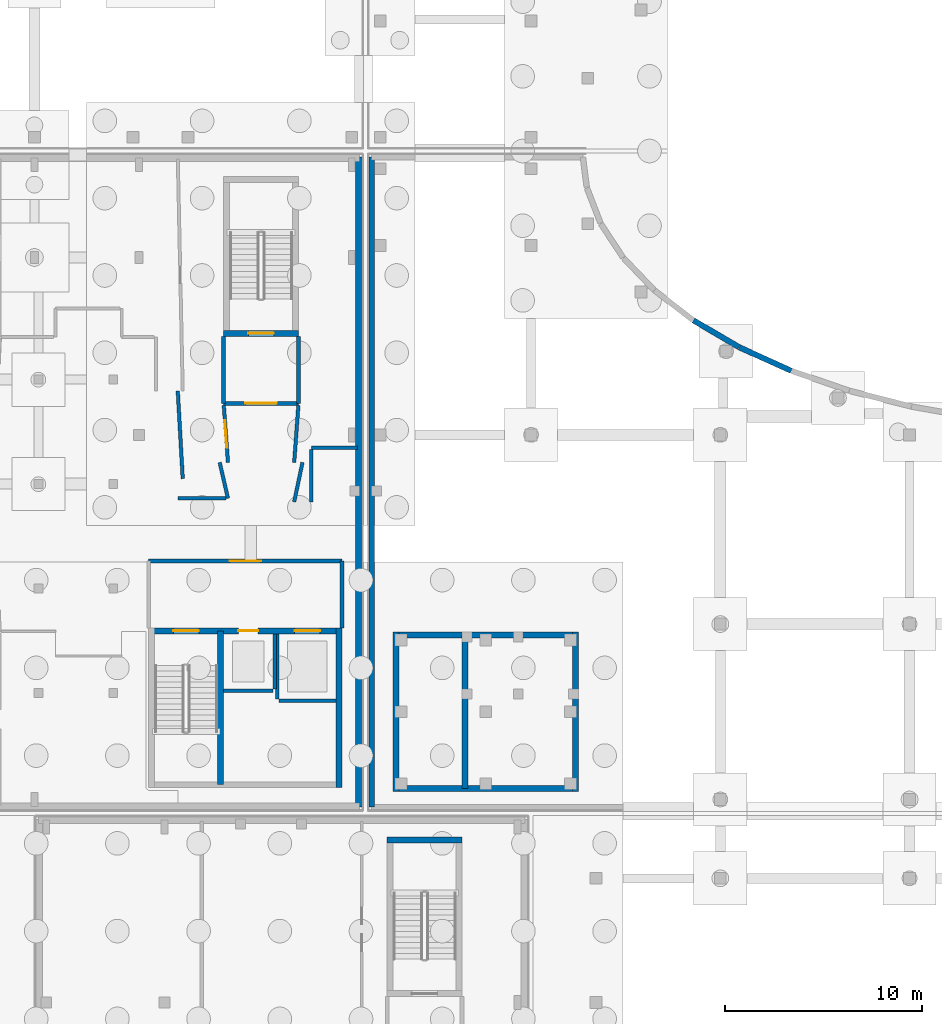
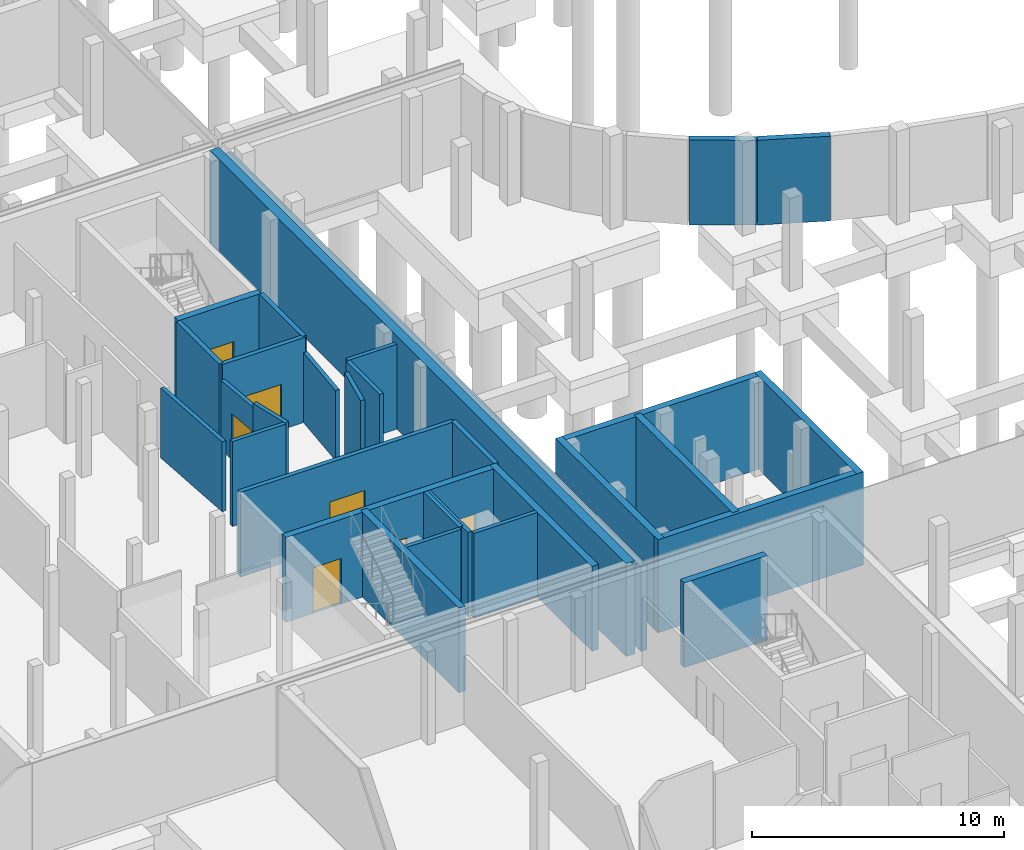
# One storey, part 21 of 40: 31 walls, 7 doors, 7 openings.
"""IFC4 building model written with IfcOpenShell, lengths in metres."""

from ifc_helpers import new_model, si_unit, direction, frame, frame_2d, origin, place, context, subcontext, project, spatial, rectangle, extrude, material, layer, layer_set, type_object, element, fill, save


model = new_model("IFC4")

# Units and contexts
model_context = context("Model", 3, precision=1e-05, world=origin(), true_north=direction((0.0, 1.0)))
body_context = subcontext(model_context, "Body", "Model", "MODEL_VIEW")
ifc_project = project(units=[si_unit("LENGTHUNIT", "METRE"), si_unit("AREAUNIT", "SQUARE_METRE"), si_unit("VOLUMEUNIT", "CUBIC_METRE"), si_unit("PLANEANGLEUNIT", "RADIAN"), si_unit("MASSUNIT", "GRAM", prefix="KILO")], contexts=[model_context])

# Site, building, storey
site_placement = place(None, origin())
site = spatial("IfcSite", under=ifc_project, at=site_placement, CompositionType="ELEMENT")
building_placement = place(site_placement, origin())
building = spatial("IfcBuilding", under=site, at=building_placement, Name="Mzevani Central Library", CompositionType="ELEMENT")
storey_placement = place(building_placement, frame((0.0, 0.0, -4.5)))
storey = spatial("IfcBuildingStorey", under=building, at=storey_placement, Name="B1", CompositionType="ELEMENT", Elevation=-4.5)

# Wall
ifc_material_1 = material(Name="Concrete C35/45", Category="concrete")
ifc_layer_1 = layer(ifc_material_1, 0.419921875, Name="Basement Retaining Wall 420")
ifc_layer_set_1 = layer_set([ifc_layer_1], Name="Concrete C35/45")
wall_type_1 = type_object("IfcWallType", Name="Basement Retaining Wall 420", PredefinedType="SOLIDWALL", material=ifc_layer_set_1)
wall_1_placement = place(storey_placement, frame((45.68994140625, 75.68994140625, 0.0), z_axis=(0.0, 0.0, 1.0), x_axis=(0.0, -1.0, 0.0)))
element("IfcWall", 1, at=wall_1_placement, inside=storey, type_object=wall_type_1, Name="B1 V5 Perimeter Retaining Wall (67)", PredefinedType="SOLIDWALL", context=body_context, shape_type="SweptSolid", body=[
    extrude(rectangle(XDim=32.97998046875, YDim=0.419921875, at=frame_2d((16.489990234375, 0.0))), origin(), (0.0, 0.0, 1.0), 4.5),
])

# Wall, opening, door
ifc_layer_2 = layer(ifc_material_1, 0.199951171875, Name="Compartment Wall 200")
ifc_layer_set_2 = layer_set([ifc_layer_2], Name="Concrete C35/45")
wall_type_2 = type_object("IfcWallType", Name="Compartment Wall 200", PredefinedType="STANDARD", material=ifc_layer_set_2)
wall_2_placement = place(storey_placement, frame((35.0, 55.199951171875, 0.0), z_axis=(0.0, 0.0, 1.0), x_axis=(1.0, 0.0, 0.0)))
wall_2 = element("IfcWall", 2, at=wall_2_placement, inside=storey, type_object=wall_type_2, Name="B1 Protected Stair Lobby C5A Enclosure Wall 2", PredefinedType="STANDARD", context=body_context, shape_type="SweptSolid", body=[
    extrude(rectangle(XDim=9.800048828125, YDim=0.199951171875, at=frame_2d((4.89990234375, 0.0))), origin(), (0.0, 0.0, 1.0), 4.10009765625),
])
opening_1_placement = place(wall_2_placement, frame((4.10009765625, 0.0, 0.0)))
opening_1 = element("IfcOpeningElement", 3, at=opening_1_placement, cuts=wall_2, Name="Opening FD-02", PredefinedType="OPENING", context=body_context, shape_type="SweptSolid", body=[
    extrude(rectangle(XDim=1.60009765625, YDim=2.199951171875, at=frame_2d((0.800048828125, 1.10009765625))), frame((0.0, 0.10986328125, 0.0), z_axis=(0.0, -1.0, 0.0), x_axis=(1.0, 0.0, 0.0)), (0.0, 0.0, 1.0), 0.219970703125),
])
ifc_material_2 = material(Name="Fire-rated steel door assembly", Category="steel")
door_type_1 = type_object("IfcDoorType", Name="Fire Lobby Double Door 1600x2200", OperationType="NOTDEFINED", PredefinedType="DOOR", material=ifc_material_2)
door_1_placement = place(opening_1_placement, origin())
door_1 = element("IfcDoor", 4, at=door_1_placement, inside=storey, type_object=door_type_1, Name="B1 Protected Stair Lobby C5A Smoke-Control Door", OperationType="DOUBLE_DOOR_SINGLE_SWING", OverallHeight=2.199951171875, OverallWidth=1.60009765625, PredefinedType="DOOR", context=body_context, shape_type="SweptSolid", body=[
    extrude(rectangle(XDim=1.60009765625, YDim=2.199951171875, at=frame_2d((0.800048828125, 1.10009765625))), frame((0.0, 0.02490234375, 0.0), z_axis=(0.0, -1.0, 0.0), x_axis=(1.0, 0.0, 0.0)), (0.0, 0.0, 1.0), 0.050048828125),
])
fill(opening_1, door_1)

# Walls
wall_3_placement = place(storey_placement, frame((44.800048828125, 55.199951171875, 0.0), z_axis=(0.0, 0.0, 1.0), x_axis=(0.0, -1.0, 0.0)))
element("IfcWall", 5, at=wall_3_placement, inside=storey, type_object=wall_type_2, Name="B1 Protected Stair Lobby C5A Enclosure Wall 3", PredefinedType="STANDARD", context=body_context, shape_type="SweptSolid", body=[
    extrude(rectangle(XDim=3.39990234375, YDim=0.199951171875, at=frame_2d((1.699951171875, 0.0))), origin(), (0.0, 0.0, 1.0), 4.10009765625),
])
wall_4_placement = place(storey_placement, frame((38.800048828125, 66.60009765625, 0.0), z_axis=(0.0, 0.0, 1.0), x_axis=(0.0, -1.0, 0.0)))
element("IfcWall", 6, at=wall_4_placement, inside=storey, type_object=wall_type_2, Name="B1 Stair Vestibule C5B Enclosure Wall 1", PredefinedType="STANDARD", context=body_context, shape_type="SweptSolid", body=[
    extrude(rectangle(XDim=3.400146484375, YDim=0.199951171875, at=frame_2d((1.7001953125, 0.0))), origin(), (0.0, 0.0, 1.0), 4.10009765625),
])

# Wall, opening, door
wall_5_placement = place(storey_placement, frame((38.800048828125, 63.199951171875, 0.0), z_axis=(0.0, 0.0, 1.0), x_axis=(1.0, 0.0, 0.0)))
wall_5 = element("IfcWall", 7, at=wall_5_placement, inside=storey, type_object=wall_type_2, Name="B1 Stair Vestibule C5B Enclosure Wall 2", PredefinedType="STANDARD", context=body_context, shape_type="SweptSolid", body=[
    extrude(rectangle(XDim=3.800048828125, YDim=0.199951171875, at=frame_2d((1.89990234375, 0.0))), origin(), (0.0, 0.0, 1.0), 4.10009765625),
])
opening_2_placement = place(wall_5_placement, frame((1.10009765625, 0.0, 0.0)))
opening_2 = element("IfcOpeningElement", 8, at=opening_2_placement, cuts=wall_5, Name="Opening FD-02", PredefinedType="OPENING", context=body_context, shape_type="SweptSolid", body=[
    extrude(rectangle(XDim=1.60009765625, YDim=2.199951171875, at=frame_2d((0.800048828125, 1.10009765625))), frame((0.0, 0.10986328125, 0.0), z_axis=(0.0, -1.0, 0.0), x_axis=(1.0, 0.0, 0.0)), (0.0, 0.0, 1.0), 0.219970703125),
])
door_2_placement = place(opening_2_placement, origin())
door_2 = element("IfcDoor", 9, at=door_2_placement, inside=storey, type_object=door_type_1, Name="B1 Stair Vestibule C5B Smoke-Control Door", OperationType="DOUBLE_DOOR_SINGLE_SWING", OverallHeight=2.199951171875, OverallWidth=1.60009765625, PredefinedType="DOOR", context=body_context, shape_type="SweptSolid", body=[
    extrude(rectangle(XDim=1.60009765625, YDim=2.199951171875, at=frame_2d((0.800048828125, 1.10009765625))), frame((0.0, 0.02490234375, 0.0), z_axis=(0.0, -1.0, 0.0), x_axis=(1.0, 0.0, 0.0)), (0.0, 0.0, 1.0), 0.050048828125),
])
fill(opening_2, door_2)

# Walls
wall_6_placement = place(storey_placement, frame((42.60009765625, 63.199951171875, 0.0), z_axis=(0.0, 0.0, 1.0), x_axis=(0.0, 1.0, 0.0)))
element("IfcWall", 10, at=wall_6_placement, inside=storey, type_object=wall_type_2, Name="B1 Stair Vestibule C5B Enclosure Wall 3", PredefinedType="STANDARD", context=body_context, shape_type="SweptSolid", body=[
    extrude(rectangle(XDim=3.400146484375, YDim=0.199951171875, at=frame_2d((1.7001953125, 0.0))), origin(), (0.0, 0.0, 1.0), 4.10009765625),
])
ifc_material_3 = material(Name="Concrete C40/50", Category="concrete")
ifc_layer_3 = layer(ifc_material_3, 0.300048828125, Name="Core Shear Wall 300")
ifc_layer_set_3 = layer_set([ifc_layer_3], Name="Concrete C40/50")
wall_type_3 = type_object("IfcWallType", Name="Core Shear Wall 300", PredefinedType="SHEAR", material=ifc_layer_set_3)
wall_7_placement = place(storey_placement, frame((56.800048828125, 43.64990234375, 0.0), z_axis=(0.0, 0.0, 1.0), x_axis=(-1.0, 0.0, 0.0)))
element("IfcWall", 11, at=wall_7_placement, inside=storey, type_object=wall_type_3, Name="B1 Core C1A Reading Hall West Foundation Core Wall (-y)", PredefinedType="SHEAR", context=body_context, shape_type="SweptSolid", body=[
    extrude(rectangle(XDim=9.400146484375, YDim=0.300048828125, at=frame_2d((4.7001953125, 0.0))), origin(), (0.0, 0.0, 1.0), 4.5),
])
wall_8_placement = place(storey_placement, frame((47.550048828125, 43.5, 0.0), z_axis=(0.0, 0.0, 1.0), x_axis=(0.0, 1.0, 0.0)))
element("IfcWall", 12, at=wall_8_placement, inside=storey, type_object=wall_type_3, Name="B1 Core C1A Reading Hall West Foundation Core Wall (-x)", PredefinedType="SHEAR", context=body_context, shape_type="SweptSolid", body=[
    extrude(rectangle(XDim=8.10009765625, YDim=0.300048828125, at=frame_2d((4.050048828125, 0.0))), origin(), (0.0, 0.0, 1.0), 4.5),
])
wall_9_placement = place(storey_placement, frame((47.39990234375, 51.449951171875, 0.0), z_axis=(0.0, 0.0, 1.0), x_axis=(1.0, 0.0, 0.0)))
element("IfcWall", 13, at=wall_9_placement, inside=storey, type_object=wall_type_3, Name="B1 Core C1A Reading Hall West Foundation Core Wall (+y)", PredefinedType="SHEAR", context=body_context, shape_type="SweptSolid", body=[
    extrude(rectangle(XDim=9.400146484375, YDim=0.300048828125, at=frame_2d((4.7001953125, 0.0))), origin(), (0.0, 0.0, 1.0), 4.5),
])
wall_10_placement = place(storey_placement, frame((56.64990234375, 51.60009765625, 0.0), z_axis=(0.0, 0.0, 1.0), x_axis=(0.0, -1.0, 0.0)))
element("IfcWall", 14, at=wall_10_placement, inside=storey, type_object=wall_type_3, Name="B1 Core C1A Reading Hall West Foundation Core Wall (+x)", PredefinedType="SHEAR", context=body_context, shape_type="SweptSolid", body=[
    extrude(rectangle(XDim=8.10009765625, YDim=0.300048828125, at=frame_2d((4.050048828125, 0.0))), origin(), (0.0, 0.0, 1.0), 4.5),
])
wall_11_placement = place(storey_placement, frame((51.050048828125, 43.64990234375, 0.0), z_axis=(0.0, 0.0, 1.0), x_axis=(0.0, 1.0, 0.0)))
element("IfcWall", 15, at=wall_11_placement, inside=storey, type_object=wall_type_3, Name="B1 Core C1A Reading Hall West Foundation Dividing Wall", PredefinedType="SHEAR", context=body_context, shape_type="SweptSolid", body=[
    extrude(rectangle(XDim=7.800048828125, YDim=0.300048828125, at=frame_2d((3.89990234375, 0.0))), origin(), (0.0, 0.0, 1.0), 4.5),
])
wall_12_placement = place(storey_placement, frame((47.10009765625, 41.050048828125, 0.0), z_axis=(0.0, 0.0, 1.0), x_axis=(1.0, 0.0, 0.0)))
element("IfcWall", 16, at=wall_12_placement, inside=storey, type_object=wall_type_3, Name="B1 Core C4B Square South Escape Stair Shear Wall (+y)", PredefinedType="SHEAR", context=body_context, shape_type="SweptSolid", body=[
    extrude(rectangle(XDim=3.7998046875, YDim=0.300048828125, at=frame_2d((1.89990234375, 0.0))), origin(), (0.0, 0.0, 1.0), 4.10009765625),
])

# Wall, openings, doors
wall_13_placement = place(storey_placement, frame((35.0, 51.64990234375, 0.0), z_axis=(0.0, 0.0, 1.0), x_axis=(1.0, 0.0, 0.0)))
wall_13 = element("IfcWall", 17, at=wall_13_placement, inside=storey, type_object=wall_type_3, Name="B1 Core C5A Auditorium & Goods Core Shear Wall (+y)", PredefinedType="SHEAR", context=body_context, shape_type="SweptSolid", body=[
    extrude(rectangle(XDim=9.800048828125, YDim=0.300048828125, at=frame_2d((4.89990234375, 0.0))), origin(), (0.0, 0.0, 1.0), 4.10009765625),
])
opening_3_placement = place(wall_13_placement, frame((1.25, 0.0, 0.0)))
opening_3 = element("IfcOpeningElement", 18, at=opening_3_placement, cuts=wall_13, Name="Opening FD-01", PredefinedType="OPENING", context=body_context, shape_type="SweptSolid", body=[
    extrude(rectangle(XDim=1.300048828125, YDim=2.199951171875, at=frame_2d((0.64990234375, 1.10009765625))), frame((0.0, 0.16015625, 0.0), z_axis=(0.0, -1.0, 0.0), x_axis=(1.0, 0.0, 0.0)), (0.0, 0.0, 1.0), 0.320068359375),
])
opening_4_placement = place(wall_13_placement, frame((4.550048828125, 0.0, 0.0)))
opening_4 = element("IfcOpeningElement", 19, at=opening_4_placement, cuts=wall_13, Name="Opening LD-01", PredefinedType="OPENING", context=body_context, shape_type="SweptSolid", body=[
    extrude(rectangle(XDim=1.0, YDim=2.14990234375, at=frame_2d((0.5, 1.074951171875))), frame((0.0, 0.16015625, 0.0), z_axis=(0.0, -1.0, 0.0), x_axis=(1.0, 0.0, 0.0)), (0.0, 0.0, 1.0), 0.320068359375),
])
opening_5_placement = place(wall_13_placement, frame((7.39990234375, 0.0, 0.0)))
opening_5 = element("IfcOpeningElement", 20, at=opening_5_placement, cuts=wall_13, Name="Opening LD-03", PredefinedType="OPENING", context=body_context, shape_type="SweptSolid", body=[
    extrude(rectangle(XDim=1.300048828125, YDim=2.199951171875, at=frame_2d((0.64990234375, 1.10009765625))), frame((0.0, 0.16015625, 0.0), z_axis=(0.0, -1.0, 0.0), x_axis=(1.0, 0.0, 0.0)), (0.0, 0.0, 1.0), 0.320068359375),
])
door_type_2 = type_object("IfcDoorType", Name="Fire Stair Door 1300x2200", OperationType="NOTDEFINED", PredefinedType="DOOR", material=ifc_material_2)
door_3_placement = place(opening_3_placement, origin())
door_3 = element("IfcDoor", 21, at=door_3_placement, inside=storey, type_object=door_type_2, Name="B1 ST-09 Protected Exit Stair Door", OperationType="SINGLE_SWING_RIGHT", OverallHeight=2.199951171875, OverallWidth=1.300048828125, PredefinedType="DOOR", context=body_context, shape_type="SweptSolid", body=[
    extrude(rectangle(XDim=1.300048828125, YDim=2.199951171875, at=frame_2d((0.64990234375, 1.10009765625))), frame((0.0, 0.02490234375, 0.0), z_axis=(0.0, -1.0, 0.0), x_axis=(1.0, 0.0, 0.0)), (0.0, 0.0, 1.0), 0.050048828125),
])
fill(opening_3, door_3)
ifc_material_4 = material(Name="Brushed stainless steel door", Category="steel")
door_type_3 = type_object("IfcDoorType", Name="Goods Lift Landing Door 1300x2200", OperationType="NOTDEFINED", PredefinedType="DOOR", material=ifc_material_4)
door_4_placement = place(opening_5_placement, origin())
door_4 = element("IfcDoor", 22, at=door_4_placement, inside=storey, type_object=door_type_3, Name="B1 Lift LF-G1 Sliding Landing Door", OperationType="SLIDING_TO_LEFT", OverallHeight=2.199951171875, OverallWidth=1.300048828125, PredefinedType="DOOR", context=body_context, shape_type="SweptSolid", body=[
    extrude(rectangle(XDim=1.300048828125, YDim=2.199951171875, at=frame_2d((0.64990234375, 1.10009765625))), frame((0.0, 0.02490234375, 0.0), z_axis=(0.0, -1.0, 0.0), x_axis=(1.0, 0.0, 0.0)), (0.0, 0.0, 1.0), 0.050048828125),
])
fill(opening_5, door_4)
door_type_4 = type_object("IfcDoorType", Name="Passenger Lift Landing Door 1000x2150", OperationType="NOTDEFINED", PredefinedType="DOOR", material=ifc_material_4)
door_5_placement = place(opening_4_placement, origin())
door_5 = element("IfcDoor", 23, at=door_5_placement, inside=storey, type_object=door_type_4, Name="B1 Lift LF-P4 Sliding Landing Door", OperationType="SLIDING_TO_LEFT", OverallHeight=2.14990234375, OverallWidth=1.0, PredefinedType="DOOR", context=body_context, shape_type="SweptSolid", body=[
    extrude(rectangle(XDim=1.0, YDim=2.14990234375, at=frame_2d((0.5, 1.074951171875))), frame((0.0, 0.02490234375, 0.0), z_axis=(0.0, -1.0, 0.0), x_axis=(1.0, 0.0, 0.0)), (0.0, 0.0, 1.0), 0.050048828125),
])
fill(opening_4, door_5)

# Walls
wall_14_placement = place(storey_placement, frame((44.64990234375, 51.800048828125, 0.0), z_axis=(0.0, 0.0, 1.0), x_axis=(0.0, -1.0, 0.0)))
element("IfcWall", 24, at=wall_14_placement, inside=storey, type_object=wall_type_3, Name="B1 Core C5A Auditorium & Goods Core Shear Wall (+x)", PredefinedType="SHEAR", context=body_context, shape_type="SweptSolid", body=[
    extrude(rectangle(XDim=8.10009765625, YDim=0.300048828125, at=frame_2d((4.050048828125, 0.0))), origin(), (0.0, 0.0, 1.0), 4.10009765625),
])
wall_15_placement = place(storey_placement, frame((38.64990234375, 43.85009765625, 0.0), z_axis=(0.0, 0.0, 1.0), x_axis=(0.0, 1.0, 0.0)))
element("IfcWall", 25, at=wall_15_placement, inside=storey, type_object=wall_type_3, Name="B1 Core C5A Auditorium & Goods Core Hoistway Shear Wall", PredefinedType="SHEAR", context=body_context, shape_type="SweptSolid", body=[
    extrude(rectangle(XDim=7.7998046875, YDim=0.300048828125, at=frame_2d((3.89990234375, 0.0))), origin(), (0.0, 0.0, 1.0), 4.10009765625),
])

# Wall, opening, door
wall_16_placement = place(storey_placement, frame((42.60009765625, 66.75, 0.0), z_axis=(0.0, 0.0, 1.0), x_axis=(-1.0, 0.0, 0.0)))
wall_16 = element("IfcWall", 26, at=wall_16_placement, inside=storey, type_object=wall_type_3, Name="B1 Core C5B Lecture North Escape Stair Shear Wall (-y)", PredefinedType="SHEAR", context=body_context, shape_type="SweptSolid", body=[
    extrude(rectangle(XDim=3.800048828125, YDim=0.300048828125, at=frame_2d((1.89990234375, 0.0))), origin(), (0.0, 0.0, 1.0), 4.10009765625),
])
opening_6_placement = place(wall_16_placement, frame((1.25, 0.0, 0.0)))
opening_6 = element("IfcOpeningElement", 27, at=opening_6_placement, cuts=wall_16, Name="Opening FD-01", PredefinedType="OPENING", context=body_context, shape_type="SweptSolid", body=[
    extrude(rectangle(XDim=1.300048828125, YDim=2.199951171875, at=frame_2d((0.64990234375, 1.10009765625))), frame((0.0, 0.16015625, 0.0), z_axis=(0.0, -1.0, 0.0), x_axis=(1.0, 0.0, 0.0)), (0.0, 0.0, 1.0), 0.320068359375),
])
door_6_placement = place(opening_6_placement, origin())
door_6 = element("IfcDoor", 28, at=door_6_placement, inside=storey, type_object=door_type_2, Name="B1 ST-10 Protected Exit Stair Door", OperationType="SINGLE_SWING_RIGHT", OverallHeight=2.199951171875, OverallWidth=1.300048828125, PredefinedType="DOOR", context=body_context, shape_type="SweptSolid", body=[
    extrude(rectangle(XDim=1.300048828125, YDim=2.199951171875, at=frame_2d((0.64990234375, 1.10009765625))), frame((0.0, 0.02490234375, 0.0), z_axis=(0.0, -1.0, 0.0), x_axis=(1.0, 0.0, 0.0)), (0.0, 0.0, 1.0), 0.050048828125),
])
fill(opening_6, door_6)

# Walls
ifc_material_5 = material(Name="Precast concrete C40/50", Category="concrete")
ifc_layer_4 = layer(ifc_material_5, 0.280029296875, Name="Court Spandrel Wall 280")
ifc_layer_set_4 = layer_set([ifc_layer_4], Name="Precast concrete C40/50")
wall_type_4 = type_object("IfcWallType", Name="Court Spandrel Wall 280", PredefinedType="STANDARD", material=ifc_layer_set_4)
wall_17_placement = place(storey_placement, frame((46.31005859375, 42.7099609375, 0.0), z_axis=(0.0, 0.0, 1.0), x_axis=(0.0, 1.0, 0.0)))
element("IfcWall", 29, at=wall_17_placement, inside=storey, type_object=wall_type_4, Name="B1 V1 Perimeter Plinth Wall (8)", PredefinedType="STANDARD", context=body_context, shape_type="SweptSolid", body=[
    extrude(rectangle(XDim=32.97998046875, YDim=0.280029296875, at=frame_2d((16.489990234375, 0.0))), origin(), (0.0, 0.0, 1.0), 4.10009765625),
])
wall_18_placement = place(storey_placement, frame((62.631591796875, 67.41064453125, 0.0), z_axis=(0.0, 0.0, 1.0), x_axis=(0.862149496171, -0.506653970923, 0.0)))
element("IfcWall", 30, at=wall_18_placement, inside=storey, type_object=wall_type_4, Name="B1 V1 Perimeter Plinth Wall (15)", PredefinedType="STANDARD", context=body_context, shape_type="SweptSolid", body=[
    extrude(rectangle(XDim=2.68115234375, YDim=0.280029296875, at=frame_2d((1.340576171875, 0.0))), origin(), (0.0, 0.0, 1.0), 4.10009765625),
])
wall_19_placement = place(storey_placement, frame((64.962890625, 66.0419921875, 0.0), z_axis=(0.0, 0.0, 1.0), x_axis=(0.911231648639, -0.411894261333, 0.0)))
element("IfcWall", 31, at=wall_19_placement, inside=storey, type_object=wall_type_4, Name="B1 V1 Perimeter Plinth Wall (16)", PredefinedType="STANDARD", context=body_context, shape_type="SweptSolid", body=[
    extrude(rectangle(XDim=2.892578125, YDim=0.280029296875, at=frame_2d((1.4462890625, 0.0))), origin(), (0.0, 0.0, 1.0), 4.10009765625),
])
ifc_material_6 = material(Name="Concrete blockwork masonry", Category="masonry")
ifc_layer_5 = layer(ifc_material_6, 0.179931640625, Name="Shaft Enclosure Wall 180")
ifc_layer_set_5 = layer_set([ifc_layer_5], Name="Concrete blockwork masonry")
wall_type_5 = type_object("IfcWallType", Name="Shaft Enclosure Wall 180", PredefinedType="PARTITIONING", material=ifc_layer_set_5)
wall_20_placement = place(storey_placement, frame((38.800048828125, 48.610107421875, 0.0), z_axis=(0.0, 0.0, 1.0), x_axis=(1.0, 0.0, 0.0)))
element("IfcWall", 32, at=wall_20_placement, inside=storey, type_object=wall_type_5, Name="B1 Lift LF-P4 Hoistway Enclosure Wall", PredefinedType="PARTITIONING", context=body_context, shape_type="SweptSolid", body=[
    extrude(rectangle(XDim=2.5, YDim=0.179931640625, at=frame_2d((1.25, 0.0))), origin(), (0.0, 0.0, 1.0), 4.10009765625),
])
wall_21_placement = place(storey_placement, frame((41.389892578125, 48.699951171875, 0.0), z_axis=(0.0, 0.0, 1.0), x_axis=(0.0, 1.0, 0.0)))
element("IfcWall", 33, at=wall_21_placement, inside=storey, type_object=wall_type_5, Name="B1 Lift LF-P4 Hoistway Enclosure Wall", PredefinedType="PARTITIONING", context=body_context, shape_type="SweptSolid", body=[
    extrude(rectangle(XDim=2.800048828125, YDim=0.179931640625, at=frame_2d((1.39990234375, 0.0))), origin(), (0.0, 0.0, 1.0), 4.10009765625),
])
wall_22_placement = place(storey_placement, frame((41.60009765625, 48.110107421875, 0.0), z_axis=(0.0, 0.0, 1.0), x_axis=(1.0, 0.0, 0.0)))
element("IfcWall", 34, at=wall_22_placement, inside=storey, type_object=wall_type_5, Name="B1 Lift LF-G1 Hoistway Enclosure Wall", PredefinedType="PARTITIONING", context=body_context, shape_type="SweptSolid", body=[
    extrude(rectangle(XDim=2.89990234375, YDim=0.179931640625, at=frame_2d((1.449951171875, 0.0))), origin(), (0.0, 0.0, 1.0), 4.10009765625),
])
wall_23_placement = place(storey_placement, frame((41.510009765625, 48.199951171875, 0.0), z_axis=(0.0, 0.0, 1.0), x_axis=(0.0, 1.0, 0.0)))
element("IfcWall", 35, at=wall_23_placement, inside=storey, type_object=wall_type_5, Name="B1 Lift LF-G1 Hoistway Enclosure Wall", PredefinedType="PARTITIONING", context=body_context, shape_type="SweptSolid", body=[
    extrude(rectangle(XDim=3.300048828125, YDim=0.179931640625, at=frame_2d((1.64990234375, 0.0))), origin(), (0.0, 0.0, 1.0), 4.10009765625),
])
wall_24_placement = place(storey_placement, frame((45.590087890625, 60.949951171875, 0.0), z_axis=(0.0, 0.0, 1.0), x_axis=(-1.0, 0.0, 0.0)))
element("IfcWall", 36, at=wall_24_placement, inside=storey, type_object=wall_type_5, Name="B1 V5 Partition IW-04 (63)", PredefinedType="PARTITIONING", context=body_context, shape_type="SweptSolid", body=[
    extrude(rectangle(XDim=2.340087890625, YDim=0.179931640625, at=frame_2d((1.169921875, 0.0))), origin(), (0.0, 0.0, 1.0), 4.10009765625),
])
wall_25_placement = place(storey_placement, frame((43.25, 60.85009765625, 0.0), z_axis=(0.0, 0.0, 1.0), x_axis=(0.0, -1.0, 0.0)))
element("IfcWall", 37, at=wall_25_placement, inside=storey, type_object=wall_type_5, Name="B1 V5 Partition IW-04 (64)", PredefinedType="PARTITIONING", context=body_context, shape_type="SweptSolid", body=[
    extrude(rectangle(XDim=2.650146484375, YDim=0.179931640625, at=frame_2d((1.3251953125, 0.0))), origin(), (0.0, 0.0, 1.0), 4.10009765625),
])
wall_26_placement = place(storey_placement, frame((42.3798828125, 58.199951171875, 0.0), z_axis=(0.0, 0.0, 1.0), x_axis=(0.205595037036, 0.978637154795, 0.0)))
element("IfcWall", 38, at=wall_26_placement, inside=storey, type_object=wall_type_5, Name="B1 V5 Partition IW-04 (65)", PredefinedType="PARTITIONING", context=body_context, shape_type="SweptSolid", body=[
    extrude(rectangle(XDim=2.043701171875, YDim=0.179931640625, at=frame_2d((1.02197265625, 0.0))), origin(), (0.0, 0.0, 1.0), 4.10009765625),
])
wall_27_placement = place(storey_placement, frame((42.3798828125, 60.199951171875, 0.0), z_axis=(0.0, 0.0, 1.0), x_axis=(0.073203739908, 0.997317007006, 0.0)))
element("IfcWall", 39, at=wall_27_placement, inside=storey, type_object=wall_type_5, Name="B1 V5 Partition IW-04 (66)", PredefinedType="PARTITIONING", context=body_context, shape_type="SweptSolid", body=[
    extrude(rectangle(XDim=2.908203125, YDim=0.179931640625, at=frame_2d((1.4541015625, 0.0))), origin(), (0.0, 0.0, 1.0), 3.3798828125),
])

# Wall, opening, door
wall_28_placement = place(storey_placement, frame((38.807373046875, 63.100341796875, 0.0), z_axis=(0.0, 0.0, 1.0), x_axis=(0.073120239762, -0.997323132459, 0.0)))
wall_28 = element("IfcWall", 40, at=wall_28_placement, inside=storey, type_object=wall_type_5, Name="B1 V5 Partition IW-04 (67)", PredefinedType="PARTITIONING", context=body_context, shape_type="SweptSolid", body=[
    extrude(rectangle(XDim=2.908203125, YDim=0.179931640625, at=frame_2d((1.4541015625, 0.0))), origin(), (0.0, 0.0, 1.0), 3.3798828125),
])
opening_7_placement = place(wall_28_placement, frame((0.75390625, 0.0, 0.0)))
opening_7 = element("IfcOpeningElement", 41, at=opening_7_placement, cuts=wall_28, Name="Opening ID-10", PredefinedType="OPENING", context=body_context, shape_type="SweptSolid", body=[
    extrude(rectangle(XDim=1.39990234375, YDim=2.199951171875, at=frame_2d((0.699951171875, 1.10009765625))), frame((0.0, 0.10009765625, 0.0), z_axis=(0.0, -1.0, 0.0), x_axis=(1.0, 0.0, 0.0)), (0.0, 0.0, 1.0), 0.199951171875),
])
door_type_5 = type_object("IfcDoorType", Name="Plant Room Double Door 1400x2200", OperationType="NOTDEFINED", PredefinedType="DOOR", material=ifc_material_2)
door_7_placement = place(opening_7_placement, origin())
door_7 = element("IfcDoor", 42, at=door_7_placement, inside=storey, type_object=door_type_5, Name="B1 Auditorium Acoustic Plenum and AHU Plant Room 2 Door", OperationType="DOUBLE_DOOR_SINGLE_SWING", OverallHeight=2.199951171875, OverallWidth=1.39990234375, PredefinedType="DOOR", context=body_context, shape_type="SweptSolid", body=[
    extrude(rectangle(XDim=1.39990234375, YDim=2.199951171875, at=frame_2d((0.699951171875, 1.10009765625))), frame((0.0, 0.02490234375, 0.0), z_axis=(0.0, -1.0, 0.0), x_axis=(1.0, 0.0, 0.0)), (0.0, 0.0, 1.0), 0.050048828125),
])
fill(opening_7, door_7)

# Walls
wall_29_placement = place(storey_placement, frame((38.60009765625, 60.199951171875, 0.0), z_axis=(0.0, 0.0, 1.0), x_axis=(0.22481177725, -0.974402208952, 0.0)))
element("IfcWall", 43, at=wall_29_placement, inside=storey, type_object=wall_type_5, Name="B1 V5 Partition IW-04 (68)", PredefinedType="PARTITIONING", context=body_context, shape_type="SweptSolid", body=[
    extrude(rectangle(XDim=1.867919921875, YDim=0.179931640625, at=frame_2d((0.93408203125, 0.0))), origin(), (0.0, 0.0, 1.0), 4.10009765625),
])
wall_30_placement = place(storey_placement, frame((38.919921875, 58.3798828125, 0.0), z_axis=(0.0, 0.0, 1.0), x_axis=(-1.0, 0.0, 0.0)))
element("IfcWall", 44, at=wall_30_placement, inside=storey, type_object=wall_type_5, Name="B1 V5 Partition IW-04 (69)", PredefinedType="PARTITIONING", context=body_context, shape_type="SweptSolid", body=[
    extrude(rectangle(XDim=2.446533203125, YDim=0.179931640625, at=frame_2d((1.22314453125, 0.0))), origin(), (0.0, 0.0, 1.0), 4.10009765625),
])
wall_31_placement = place(storey_placement, frame((36.72509765625, 59.375, 0.0), z_axis=(0.0, 0.0, 1.0), x_axis=(-0.056474163975, 0.998404060891, 0.0)))
element("IfcWall", 45, at=wall_31_placement, inside=storey, type_object=wall_type_5, Name="B1 V5 Partition IW-04 (70)", PredefinedType="PARTITIONING", context=body_context, shape_type="SweptSolid", body=[
    extrude(rectangle(XDim=4.45703125, YDim=0.179931640625, at=frame_2d((2.228515625, 0.0))), origin(), (0.0, 0.0, 1.0), 3.3798828125),
])

save(model, "model.ifc")
